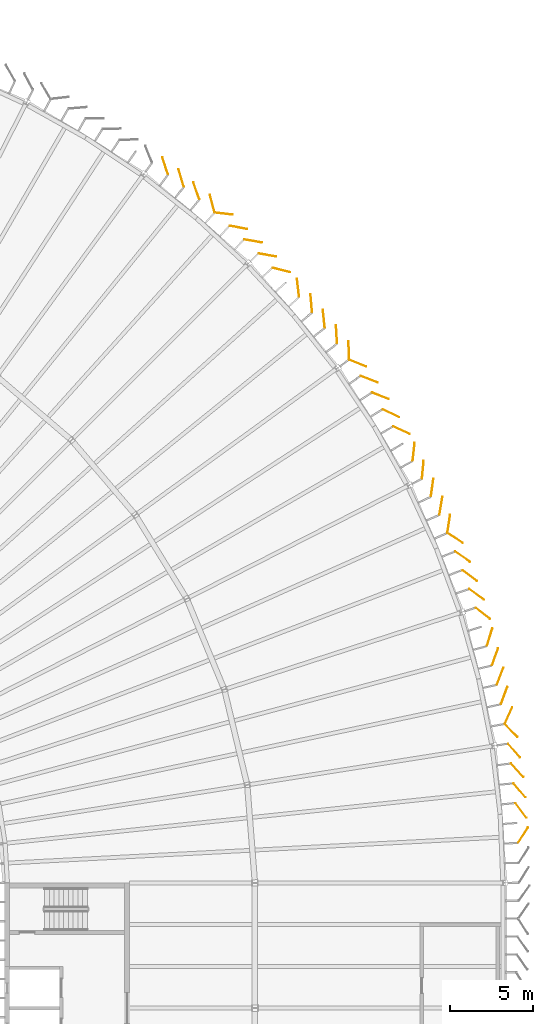
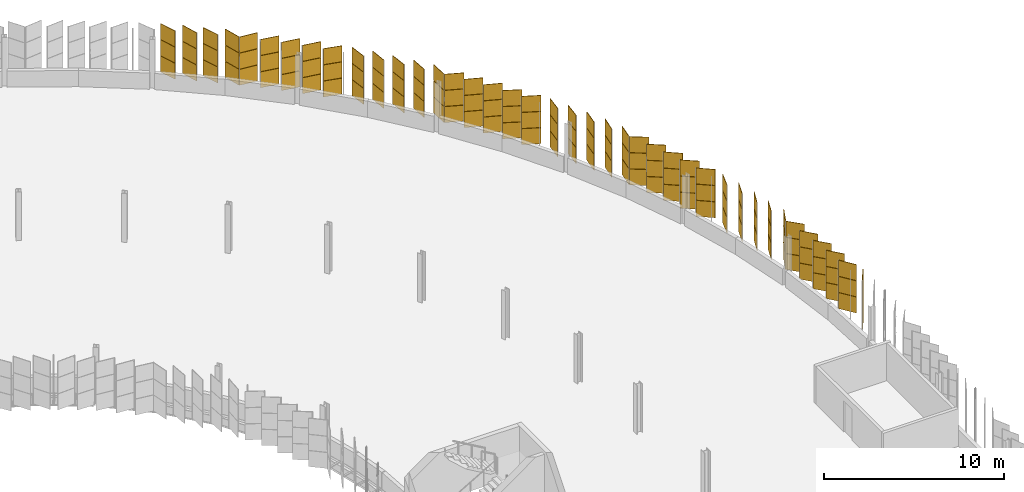
# One storey, part 195 of 199: 120 coverings.
"""IFC4 building model written with IfcOpenShell, lengths in metres."""

from ifc_helpers import new_model, si_unit, direction, frame, origin, origin_2d, place, context, subcontext, project, spatial, rectangle, extrude, material, layer, layer_set, type_object, element, save


model = new_model("IFC4")

# Units and contexts
model_context = context("Model", 3, precision=1e-05, world=origin(), true_north=direction((0.0, 1.0)))
body_context = subcontext(model_context, "Body", "Model", "MODEL_VIEW")
ifc_project = project(units=[si_unit("LENGTHUNIT", "METRE"), si_unit("AREAUNIT", "SQUARE_METRE"), si_unit("VOLUMEUNIT", "CUBIC_METRE"), si_unit("PLANEANGLEUNIT", "RADIAN"), si_unit("MASSUNIT", "GRAM", prefix="KILO")], contexts=[model_context])

# Site, building, storey
site_placement = place(None, origin())
site = spatial("IfcSite", under=ifc_project, at=site_placement, CompositionType="ELEMENT")
building_placement = place(site_placement, origin())
building = spatial("IfcBuilding", under=site, at=building_placement, Name="Parallax Yard Mobility Hub", CompositionType="ELEMENT")
storey_placement = place(building_placement, frame((0.0, 0.0, 9.89990234375)))
storey = spatial("IfcBuildingStorey", under=building, at=storey_placement, Name="L03", CompositionType="ELEMENT", Elevation=9.89990234375)

# Coverings
ifc_material_1 = material(Name="Aluminium panel, champagne finish", Category="aluminium")
ifc_layer_1 = layer(ifc_material_1, 0.030029296875)
ifc_layer_set_1 = layer_set([ifc_layer_1], Name="Skin panel 32.5 degree turn, champagne finish")
covering_type_1 = type_object("IfcCoveringType", Name="Skin panel 32.5 degree turn, champagne finish", PredefinedType="CLADDING", material=ifc_layer_set_1)
for number, where, z_axis, x_axis, name in (
    (1, (225.9375, 94.339111328125, 0.02001953125), (0.0, 0.0, 1.0), (0.596097359991, -0.802912160458, 0.0), "Skin panel 32.5 bay 41.4 row 1 level L03"),
    (2, (225.53076171875, 97.924072265625, 0.02001953125), (0.0, 0.0, 1.0), (0.662620048216, -0.748955720789, 0.0), "Skin panel 32.5 bay 41.7 row 1 level L03"),
    (3, (224.9296875, 101.224365234375, 0.02001953125), (0.0, 0.0, 1.0), (0.345745328141, 0.938328390314, 0.0), "Skin panel 32.5 bay 42.3 row 1 level L03"),
    (4, (224.05908203125, 104.71826171875, 0.02001953125), (0.0, 0.0, 1.0), (0.29161218728, 0.956536634024, 0.0), "Skin panel 32.5 bay 42.6 row 1 level L03"),
    (5, (222.863037109375, 108.39892578125, 0.02001953125), (0.0, 0.0, 1.0), (0.798157342033, -0.602449049595, 0.0), "Skin panel 32.5 bay 43.2 row 1 level L03"),
    (6, (221.613037109375, 111.511474609375, 0.02001953125), (0.0, 0.0, 1.0), (0.152514952931, 0.988301163175, 0.0), "Skin panel 32.5 bay 43.5 row 1 level L03"),
    (7, (220.060302734375, 114.760009765625, 0.02001953125), (0.0, 0.0, 1.0), (0.09584575252, 0.995396198367, 0.0), "Skin panel 32.5 bay 44.1 row 1 level L03"),
    (8, (218.1494140625, 118.125, 0.02001953125), (0.0, 0.0, 1.0), (0.901901141033, -0.431942509836, 0.0), "Skin panel 32.5 bay 44.4 row 1 level L03"),
    (9, (216.1591796875, 121.12548828125, 0.02001953125), (0.0, 0.0, 1.0), (0.92508913749, -0.379750033177, 0.0), "Skin panel 32.5 bay 44.7 row 1 level L03"),
    (10, (214.129150390625, 123.7958984375, 0.02001953125), (0.0, 0.0, 1.0), (-0.10373865588, 0.994604590416, 0.0), "Skin panel 32.5 bay 45.3 row 1 level L03"),
    (11, (211.58056640625, 126.708984375, 0.02001953125), (0.0, 0.0, 1.0), (0.969717050992, -0.244231122126, 0.0), "Skin panel 32.5 bay 45.6 row 1 level L03"),
    (12, (209.0166015625, 129.2578125, 0.02001953125), (0.0, 0.0, 1.0), (0.982078646832, -0.188471566651, 0.0), "Skin panel 32.5 bay 46.2 row 1 level L03"),
    (13, (206.49072265625, 131.45458984375, 0.02001953125), (0.0, 0.0, 1.0), (-0.32631891148, 0.94525973574, 0.0), "Skin panel 32.5 bay 46.5 row 1 level L03"),
):
    element("IfcCovering", number, at=place(storey_placement, frame(where, z_axis=z_axis, x_axis=x_axis)), inside=storey, type_object=covering_type_1, Name=name, ObjectType="SCREEN", PredefinedType="CLADDING", context=body_context, shape_type="SweptSolid", body=[
        extrude(rectangle(XDim=1.080078125, YDim=0.030029296875, at=origin_2d()), origin(), (0.0, 0.0, 1.0), 1.080078125),
    ])
ifc_material_2 = material(Name="Aluminium panel, silver anodised", Category="aluminium")
ifc_layer_2 = layer(ifc_material_2, 0.030029296875)
ifc_layer_set_2 = layer_set([ifc_layer_2], Name="Skin panel 32.5 degree turn, silver anodised")
covering_type_2 = type_object("IfcCoveringType", Name="Skin panel 32.5 degree turn, silver anodised", PredefinedType="CLADDING", material=ifc_layer_set_2)
for number, where, z_axis, x_axis, name in (
    (14, (225.9375, 94.339111328125, 1.1201171875), (0.0, 0.0, 1.0), (0.596097359991, -0.802912160458, 0.0), "Skin panel 32.5 bay 41.4 row 2 level L03"),
    (15, (225.9375, 94.339111328125, 2.219970703125), (0.0, 0.0, 1.0), (0.596097359991, -0.802912160458, 0.0), "Skin panel 32.5 bay 41.4 row 3 level L03"),
    (16, (225.53076171875, 97.924072265625, 1.1201171875), (0.0, 0.0, 1.0), (0.662620048216, -0.748955720789, 0.0), "Skin panel 32.5 bay 41.7 row 2 level L03"),
    (17, (225.53076171875, 97.924072265625, 2.219970703125), (0.0, 0.0, 1.0), (0.662620048216, -0.748955720789, 0.0), "Skin panel 32.5 bay 41.7 row 3 level L03"),
    (18, (224.9296875, 101.224365234375, 1.1201171875), (0.0, 0.0, 1.0), (0.345745328141, 0.938328390314, 0.0), "Skin panel 32.5 bay 42.3 row 2 level L03"),
    (19, (224.9296875, 101.224365234375, 2.219970703125), (0.0, 0.0, 1.0), (0.345745328141, 0.938328390314, 0.0), "Skin panel 32.5 bay 42.3 row 3 level L03"),
    (20, (224.05908203125, 104.71826171875, 1.1201171875), (0.0, 0.0, 1.0), (0.29161218728, 0.956536634024, 0.0), "Skin panel 32.5 bay 42.6 row 2 level L03"),
    (21, (224.05908203125, 104.71826171875, 2.219970703125), (0.0, 0.0, 1.0), (0.29161218728, 0.956536634024, 0.0), "Skin panel 32.5 bay 42.6 row 3 level L03"),
    (22, (222.863037109375, 108.39892578125, 1.1201171875), (0.0, 0.0, 1.0), (0.798157342033, -0.602449049595, 0.0), "Skin panel 32.5 bay 43.2 row 2 level L03"),
    (23, (222.863037109375, 108.39892578125, 2.219970703125), (0.0, 0.0, 1.0), (0.798157342033, -0.602449049595, 0.0), "Skin panel 32.5 bay 43.2 row 3 level L03"),
    (24, (221.613037109375, 111.511474609375, 1.1201171875), (0.0, 0.0, 1.0), (0.152514952931, 0.988301163175, 0.0), "Skin panel 32.5 bay 43.5 row 2 level L03"),
    (25, (221.613037109375, 111.511474609375, 2.219970703125), (0.0, 0.0, 1.0), (0.152514952931, 0.988301163175, 0.0), "Skin panel 32.5 bay 43.5 row 3 level L03"),
    (26, (220.060302734375, 114.760009765625, 1.1201171875), (0.0, 0.0, 1.0), (0.09584575252, 0.995396198367, 0.0), "Skin panel 32.5 bay 44.1 row 2 level L03"),
    (27, (220.060302734375, 114.760009765625, 2.219970703125), (0.0, 0.0, 1.0), (0.09584575252, 0.995396198367, 0.0), "Skin panel 32.5 bay 44.1 row 3 level L03"),
    (28, (218.1494140625, 118.125, 1.1201171875), (0.0, 0.0, 1.0), (0.901901141033, -0.431942509836, 0.0), "Skin panel 32.5 bay 44.4 row 2 level L03"),
    (29, (218.1494140625, 118.125, 2.219970703125), (0.0, 0.0, 1.0), (0.901901141033, -0.431942509836, 0.0), "Skin panel 32.5 bay 44.4 row 3 level L03"),
    (30, (216.1591796875, 121.12548828125, 1.1201171875), (0.0, 0.0, 1.0), (0.92508913749, -0.379750033177, 0.0), "Skin panel 32.5 bay 44.7 row 2 level L03"),
    (31, (216.1591796875, 121.12548828125, 2.219970703125), (0.0, 0.0, 1.0), (0.92508913749, -0.379750033177, 0.0), "Skin panel 32.5 bay 44.7 row 3 level L03"),
    (32, (214.129150390625, 123.7958984375, 1.1201171875), (0.0, 0.0, 1.0), (-0.10373865588, 0.994604590416, 0.0), "Skin panel 32.5 bay 45.3 row 2 level L03"),
    (33, (214.129150390625, 123.7958984375, 2.219970703125), (0.0, 0.0, 1.0), (-0.10373865588, 0.994604590416, 0.0), "Skin panel 32.5 bay 45.3 row 3 level L03"),
    (34, (211.58056640625, 126.708984375, 1.1201171875), (0.0, 0.0, 1.0), (0.969717050992, -0.244231122126, 0.0), "Skin panel 32.5 bay 45.6 row 2 level L03"),
    (35, (211.58056640625, 126.708984375, 2.219970703125), (0.0, 0.0, 1.0), (0.969717050992, -0.244231122126, 0.0), "Skin panel 32.5 bay 45.6 row 3 level L03"),
    (36, (209.0166015625, 129.2578125, 1.1201171875), (0.0, 0.0, 1.0), (0.982078646832, -0.188471566651, 0.0), "Skin panel 32.5 bay 46.2 row 2 level L03"),
    (37, (209.0166015625, 129.2578125, 2.219970703125), (0.0, 0.0, 1.0), (0.982078646832, -0.188471566651, 0.0), "Skin panel 32.5 bay 46.2 row 3 level L03"),
    (38, (206.49072265625, 131.45458984375, 1.1201171875), (0.0, 0.0, 1.0), (-0.32631891148, 0.94525973574, 0.0), "Skin panel 32.5 bay 46.5 row 2 level L03"),
    (39, (206.49072265625, 131.45458984375, 2.219970703125), (0.0, 0.0, 1.0), (-0.32631891148, 0.94525973574, 0.0), "Skin panel 32.5 bay 46.5 row 3 level L03"),
):
    element("IfcCovering", number, at=place(storey_placement, frame(where, z_axis=z_axis, x_axis=x_axis)), inside=storey, type_object=covering_type_2, Name=name, ObjectType="SCREEN", PredefinedType="CLADDING", context=body_context, shape_type="SweptSolid", body=[
        extrude(rectangle(XDim=1.080078125, YDim=0.030029296875, at=origin_2d()), origin(), (0.0, 0.0, 1.0), 1.080078125),
    ])
ifc_layer_3 = layer(ifc_material_1, 0.030029296875)
ifc_layer_set_3 = layer_set([ifc_layer_3], Name="Skin panel 35 degree turn, champagne finish")
covering_type_3 = type_object("IfcCoveringType", Name="Skin panel 35 degree turn, champagne finish", PredefinedType="CLADDING", material=ifc_layer_set_3)
for number, where, z_axis, x_axis, name in (
    (40, (226.064208984375, 92.86181640625, 0.02001953125), (0.0, 0.0, 1.0), (0.537969196928, 0.842964496973, 0.0), "Skin panel 35 bay 41.3 row 1 level L03"),
    (41, (225.850830078125, 95.542724609375, 0.02001953125), (0.0, 0.0, 1.0), (0.652459561766, -0.757823541638, 0.0), "Skin panel 35 bay 41.5 row 1 level L03"),
    (42, (225.712158203125, 96.7431640625, 0.02001953125), (0.0, 0.0, 1.0), (0.673833110974, -0.738883575779, 0.0), "Skin panel 35 bay 41.6 row 1 level L03"),
    (43, (225.348388671875, 99.123291015625, 0.02001953125), (0.0, 0.0, 1.0), (0.694658370459, -0.719339800339, 0.0), "Skin panel 35 bay 42.1 row 1 level L03"),
    (44, (225.19140625, 100.030517578125, 0.02001953125), (0.0, 0.0, 1.0), (0.412525789307, 0.910945922191, 0.0), "Skin panel 35 bay 42.2 row 1 level L03"),
    (45, (224.685791015625, 102.379150390625, 0.02001953125), (0.0, 0.0, 1.0), (0.35984862727, 0.933010699538, 0.0), "Skin panel 35 bay 42.4 row 1 level L03"),
    (46, (224.388427734375, 103.55078125, 0.02001953125), (0.0, 0.0, 1.0), (0.333058179063, 0.942906278142, 0.0), "Skin panel 35 bay 42.5 row 1 level L03"),
    (47, (223.65087890625, 106.144287109375, 0.02001953125), (0.0, 0.0, 1.0), (0.789960282636, -0.613158015407, 0.0), "Skin panel 35 bay 42.7 row 1 level L03"),
    (48, (223.2783203125, 107.278564453125, 0.02001953125), (0.0, 0.0, 1.0), (0.807147877274, -0.590349306946, 0.0), "Skin panel 35 bay 43.1 row 1 level L03"),
    (49, (222.443359375, 109.537109375, 0.02001953125), (0.0, 0.0, 1.0), (0.823676131563, -0.567060517311, 0.0), "Skin panel 35 bay 43.3 row 1 level L03"),
    (50, (221.9951171875, 110.659423828125, 0.02001953125), (0.0, 0.0, 1.0), (0.839533584284, -0.543307795692, 0.0), "Skin panel 35 bay 43.4 row 1 level L03"),
    (51, (221.14453125, 112.5947265625, 0.02001953125), (0.0, 0.0, 1.0), (0.167395116152, 0.985889889941, 0.0), "Skin panel 35 bay 43.6 row 1 level L03"),
    (52, (220.617919921875, 113.6826171875, 0.02001953125), (0.0, 0.0, 1.0), (0.13917310096, 0.990268068742, 0.0), "Skin panel 35 bay 43.7 row 1 level L03"),
    (53, (219.512939453125, 115.822265625, 0.02001953125), (0.0, 0.0, 1.0), (0.110837569146, 0.993838534806, 0.0), "Skin panel 35 bay 44.2 row 1 level L03"),
    (54, (218.781494140625, 117.111083984375, 0.02001953125), (0.0, 0.0, 1.0), (0.908308971239, -0.418299907681, 0.0), "Skin panel 35 bay 44.3 row 1 level L03"),
    (55, (217.515625, 119.17041015625, 0.02001953125), (0.0, 0.0, 1.0), (0.930708322292, -0.365762243564, 0.0), "Skin panel 35 bay 44.5 row 1 level L03"),
    (56, (216.844970703125, 120.164794921875, 0.02001953125), (0.0, 0.0, 1.0), (0.930708322292, -0.365762243564, 0.0), "Skin panel 35 bay 44.6 row 1 level L03"),
    (57, (215.626708984375, 121.892578125, 0.02001953125), (0.0, 0.0, 1.0), (-0.031728250671, 0.999496532315, 0.0), "Skin panel 35 bay 45.1 row 1 level L03"),
    (58, (214.89208984375, 122.8525390625, 0.02001953125), (0.0, 0.0, 1.0), (-0.060255876762, 0.998182963848, 0.0), "Skin panel 35 bay 45.2 row 1 level L03"),
    (59, (213.37939453125, 124.7265625, 0.02001953125), (0.0, 0.0, 1.0), (-0.088736099562, 0.996055171481, 0.0), "Skin panel 35 bay 45.4 row 1 level L03"),
    (60, (212.5859375, 125.638671875, 0.02001953125), (0.0, 0.0, 1.0), (-0.117143944709, 0.993114946126, 0.0), "Skin panel 35 bay 45.5 row 1 level L03"),
    (61, (210.74951171875, 127.60546875, 0.02001953125), (0.0, 0.0, 1.0), (0.984807753012, -0.173648177667, 0.0), "Skin panel 35 bay 45.7 row 1 level L03"),
    (62, (209.892578125, 128.44482421875, 0.02001953125), (0.0, 0.0, 1.0), (0.984807753012, -0.173648177667, 0.0), "Skin panel 35 bay 46.1 row 1 level L03"),
    (63, (208.138427734375, 130.086181640625, 0.02001953125), (0.0, 0.0, 1.0), (0.993114946126, -0.117143944709, 0.0), "Skin panel 35 bay 46.3 row 1 level L03"),
    (64, (207.44287109375, 130.68896484375, 0.02001953125), (0.0, 0.0, 1.0), (-0.257286274555, 0.966335228027, 0.0), "Skin panel 35 bay 46.4 row 1 level L03"),
    (65, (205.584228515625, 132.22021484375, 0.02001953125), (0.0, 0.0, 1.0), (-0.284776677608, 0.958593888928, 0.0), "Skin panel 35 bay 46.6 row 1 level L03"),
    (66, (204.623779296875, 132.9541015625, 0.02001953125), (0.0, 0.0, 1.0), (-0.31203314421, 0.950071216759, 0.0), "Skin panel 35 bay 46.7 row 1 level L03"),
):
    element("IfcCovering", number, at=place(storey_placement, frame(where, z_axis=z_axis, x_axis=x_axis)), inside=storey, type_object=covering_type_3, Name=name, ObjectType="SCREEN", PredefinedType="CLADDING", context=body_context, shape_type="SweptSolid", body=[
        extrude(rectangle(XDim=1.080078125, YDim=0.030029296875, at=origin_2d()), origin(), (0.0, 0.0, 1.0), 1.080078125),
    ])
ifc_layer_4 = layer(ifc_material_2, 0.030029296875)
ifc_layer_set_4 = layer_set([ifc_layer_4], Name="Skin panel 35 degree turn, silver anodised")
covering_type_4 = type_object("IfcCoveringType", Name="Skin panel 35 degree turn, silver anodised", PredefinedType="CLADDING", material=ifc_layer_set_4)
for number, where, z_axis, x_axis, name in (
    (67, (226.064208984375, 92.86181640625, 1.1201171875), (0.0, 0.0, 1.0), (0.537969196928, 0.842964496973, 0.0), "Skin panel 35 bay 41.3 row 2 level L03"),
    (68, (226.064208984375, 92.86181640625, 2.219970703125), (0.0, 0.0, 1.0), (0.537969196928, 0.842964496973, 0.0), "Skin panel 35 bay 41.3 row 3 level L03"),
    (69, (225.850830078125, 95.542724609375, 1.1201171875), (0.0, 0.0, 1.0), (0.652459561766, -0.757823541638, 0.0), "Skin panel 35 bay 41.5 row 2 level L03"),
    (70, (225.850830078125, 95.542724609375, 2.219970703125), (0.0, 0.0, 1.0), (0.652459561766, -0.757823541638, 0.0), "Skin panel 35 bay 41.5 row 3 level L03"),
    (71, (225.712158203125, 96.7431640625, 1.1201171875), (0.0, 0.0, 1.0), (0.673833110974, -0.738883575779, 0.0), "Skin panel 35 bay 41.6 row 2 level L03"),
    (72, (225.712158203125, 96.7431640625, 2.219970703125), (0.0, 0.0, 1.0), (0.673833110974, -0.738883575779, 0.0), "Skin panel 35 bay 41.6 row 3 level L03"),
    (73, (225.348388671875, 99.123291015625, 1.1201171875), (0.0, 0.0, 1.0), (0.694658370459, -0.719339800339, 0.0), "Skin panel 35 bay 42.1 row 2 level L03"),
    (74, (225.348388671875, 99.123291015625, 2.219970703125), (0.0, 0.0, 1.0), (0.694658370459, -0.719339800339, 0.0), "Skin panel 35 bay 42.1 row 3 level L03"),
    (75, (225.19140625, 100.030517578125, 1.1201171875), (0.0, 0.0, 1.0), (0.412525789307, 0.910945922191, 0.0), "Skin panel 35 bay 42.2 row 2 level L03"),
    (76, (225.19140625, 100.030517578125, 2.219970703125), (0.0, 0.0, 1.0), (0.412525789307, 0.910945922191, 0.0), "Skin panel 35 bay 42.2 row 3 level L03"),
    (77, (224.685791015625, 102.379150390625, 1.1201171875), (0.0, 0.0, 1.0), (0.35984862727, 0.933010699538, 0.0), "Skin panel 35 bay 42.4 row 2 level L03"),
    (78, (224.685791015625, 102.379150390625, 2.219970703125), (0.0, 0.0, 1.0), (0.35984862727, 0.933010699538, 0.0), "Skin panel 35 bay 42.4 row 3 level L03"),
    (79, (224.388427734375, 103.55078125, 1.1201171875), (0.0, 0.0, 1.0), (0.333058179063, 0.942906278142, 0.0), "Skin panel 35 bay 42.5 row 2 level L03"),
    (80, (224.388427734375, 103.55078125, 2.219970703125), (0.0, 0.0, 1.0), (0.333058179063, 0.942906278142, 0.0), "Skin panel 35 bay 42.5 row 3 level L03"),
    (81, (223.65087890625, 106.144287109375, 1.1201171875), (0.0, 0.0, 1.0), (0.789960282636, -0.613158015407, 0.0), "Skin panel 35 bay 42.7 row 2 level L03"),
    (82, (223.65087890625, 106.144287109375, 2.219970703125), (0.0, 0.0, 1.0), (0.789960282636, -0.613158015407, 0.0), "Skin panel 35 bay 42.7 row 3 level L03"),
    (83, (223.2783203125, 107.278564453125, 1.1201171875), (0.0, 0.0, 1.0), (0.807147877274, -0.590349306946, 0.0), "Skin panel 35 bay 43.1 row 2 level L03"),
    (84, (223.2783203125, 107.278564453125, 2.219970703125), (0.0, 0.0, 1.0), (0.807147877274, -0.590349306946, 0.0), "Skin panel 35 bay 43.1 row 3 level L03"),
    (85, (222.443359375, 109.537109375, 1.1201171875), (0.0, 0.0, 1.0), (0.823676131563, -0.567060517311, 0.0), "Skin panel 35 bay 43.3 row 2 level L03"),
    (86, (222.443359375, 109.537109375, 2.219970703125), (0.0, 0.0, 1.0), (0.823676131563, -0.567060517311, 0.0), "Skin panel 35 bay 43.3 row 3 level L03"),
    (87, (221.9951171875, 110.659423828125, 1.1201171875), (0.0, 0.0, 1.0), (0.839533584284, -0.543307795692, 0.0), "Skin panel 35 bay 43.4 row 2 level L03"),
    (88, (221.9951171875, 110.659423828125, 2.219970703125), (0.0, 0.0, 1.0), (0.839533584284, -0.543307795692, 0.0), "Skin panel 35 bay 43.4 row 3 level L03"),
    (89, (221.14453125, 112.5947265625, 1.1201171875), (0.0, 0.0, 1.0), (0.167395116152, 0.985889889941, 0.0), "Skin panel 35 bay 43.6 row 2 level L03"),
    (90, (221.14453125, 112.5947265625, 2.219970703125), (0.0, 0.0, 1.0), (0.167395116152, 0.985889889941, 0.0), "Skin panel 35 bay 43.6 row 3 level L03"),
    (91, (220.617919921875, 113.6826171875, 1.1201171875), (0.0, 0.0, 1.0), (0.13917310096, 0.990268068742, 0.0), "Skin panel 35 bay 43.7 row 2 level L03"),
    (92, (220.617919921875, 113.6826171875, 2.219970703125), (0.0, 0.0, 1.0), (0.13917310096, 0.990268068742, 0.0), "Skin panel 35 bay 43.7 row 3 level L03"),
    (93, (219.512939453125, 115.822265625, 1.1201171875), (0.0, 0.0, 1.0), (0.110837569146, 0.993838534806, 0.0), "Skin panel 35 bay 44.2 row 2 level L03"),
    (94, (219.512939453125, 115.822265625, 2.219970703125), (0.0, 0.0, 1.0), (0.110837569146, 0.993838534806, 0.0), "Skin panel 35 bay 44.2 row 3 level L03"),
    (95, (218.781494140625, 117.111083984375, 1.1201171875), (0.0, 0.0, 1.0), (0.908308971239, -0.418299907681, 0.0), "Skin panel 35 bay 44.3 row 2 level L03"),
    (96, (218.781494140625, 117.111083984375, 2.219970703125), (0.0, 0.0, 1.0), (0.908308971239, -0.418299907681, 0.0), "Skin panel 35 bay 44.3 row 3 level L03"),
    (97, (217.515625, 119.17041015625, 1.1201171875), (0.0, 0.0, 1.0), (0.930708322292, -0.365762243564, 0.0), "Skin panel 35 bay 44.5 row 2 level L03"),
    (98, (217.515625, 119.17041015625, 2.219970703125), (0.0, 0.0, 1.0), (0.930708322292, -0.365762243564, 0.0), "Skin panel 35 bay 44.5 row 3 level L03"),
    (99, (216.844970703125, 120.164794921875, 1.1201171875), (0.0, 0.0, 1.0), (0.930708322292, -0.365762243564, 0.0), "Skin panel 35 bay 44.6 row 2 level L03"),
    (100, (216.844970703125, 120.164794921875, 2.219970703125), (0.0, 0.0, 1.0), (0.930708322292, -0.365762243564, 0.0), "Skin panel 35 bay 44.6 row 3 level L03"),
    (101, (215.626708984375, 121.892578125, 1.1201171875), (0.0, 0.0, 1.0), (-0.031728250671, 0.999496532315, 0.0), "Skin panel 35 bay 45.1 row 2 level L03"),
    (102, (215.626708984375, 121.892578125, 2.219970703125), (0.0, 0.0, 1.0), (-0.031728250671, 0.999496532315, 0.0), "Skin panel 35 bay 45.1 row 3 level L03"),
    (103, (214.89208984375, 122.8525390625, 1.1201171875), (0.0, 0.0, 1.0), (-0.060255876762, 0.998182963848, 0.0), "Skin panel 35 bay 45.2 row 2 level L03"),
    (104, (214.89208984375, 122.8525390625, 2.219970703125), (0.0, 0.0, 1.0), (-0.060255876762, 0.998182963848, 0.0), "Skin panel 35 bay 45.2 row 3 level L03"),
    (105, (213.37939453125, 124.7265625, 1.1201171875), (0.0, 0.0, 1.0), (-0.088736099562, 0.996055171481, 0.0), "Skin panel 35 bay 45.4 row 2 level L03"),
    (106, (213.37939453125, 124.7265625, 2.219970703125), (0.0, 0.0, 1.0), (-0.088736099562, 0.996055171481, 0.0), "Skin panel 35 bay 45.4 row 3 level L03"),
    (107, (212.5859375, 125.638671875, 1.1201171875), (0.0, 0.0, 1.0), (-0.117143944709, 0.993114946126, 0.0), "Skin panel 35 bay 45.5 row 2 level L03"),
    (108, (212.5859375, 125.638671875, 2.219970703125), (0.0, 0.0, 1.0), (-0.117143944709, 0.993114946126, 0.0), "Skin panel 35 bay 45.5 row 3 level L03"),
    (109, (210.74951171875, 127.60546875, 1.1201171875), (0.0, 0.0, 1.0), (0.984807753012, -0.173648177667, 0.0), "Skin panel 35 bay 45.7 row 2 level L03"),
    (110, (210.74951171875, 127.60546875, 2.219970703125), (0.0, 0.0, 1.0), (0.984807753012, -0.173648177667, 0.0), "Skin panel 35 bay 45.7 row 3 level L03"),
    (111, (209.892578125, 128.44482421875, 1.1201171875), (0.0, 0.0, 1.0), (0.984807753012, -0.173648177667, 0.0), "Skin panel 35 bay 46.1 row 2 level L03"),
    (112, (209.892578125, 128.44482421875, 2.219970703125), (0.0, 0.0, 1.0), (0.984807753012, -0.173648177667, 0.0), "Skin panel 35 bay 46.1 row 3 level L03"),
    (113, (208.138427734375, 130.086181640625, 1.1201171875), (0.0, 0.0, 1.0), (0.993114946126, -0.117143944709, 0.0), "Skin panel 35 bay 46.3 row 2 level L03"),
    (114, (208.138427734375, 130.086181640625, 2.219970703125), (0.0, 0.0, 1.0), (0.993114946126, -0.117143944709, 0.0), "Skin panel 35 bay 46.3 row 3 level L03"),
    (115, (207.44287109375, 130.68896484375, 1.1201171875), (0.0, 0.0, 1.0), (-0.257286274555, 0.966335228027, 0.0), "Skin panel 35 bay 46.4 row 2 level L03"),
    (116, (207.44287109375, 130.68896484375, 2.219970703125), (0.0, 0.0, 1.0), (-0.257286274555, 0.966335228027, 0.0), "Skin panel 35 bay 46.4 row 3 level L03"),
    (117, (205.584228515625, 132.22021484375, 1.1201171875), (0.0, 0.0, 1.0), (-0.284776677608, 0.958593888928, 0.0), "Skin panel 35 bay 46.6 row 2 level L03"),
    (118, (205.584228515625, 132.22021484375, 2.219970703125), (0.0, 0.0, 1.0), (-0.284776677608, 0.958593888928, 0.0), "Skin panel 35 bay 46.6 row 3 level L03"),
    (119, (204.623779296875, 132.9541015625, 1.1201171875), (0.0, 0.0, 1.0), (-0.31203314421, 0.950071216759, 0.0), "Skin panel 35 bay 46.7 row 2 level L03"),
    (120, (204.623779296875, 132.9541015625, 2.219970703125), (0.0, 0.0, 1.0), (-0.31203314421, 0.950071216759, 0.0), "Skin panel 35 bay 46.7 row 3 level L03"),
):
    element("IfcCovering", number, at=place(storey_placement, frame(where, z_axis=z_axis, x_axis=x_axis)), inside=storey, type_object=covering_type_4, Name=name, ObjectType="SCREEN", PredefinedType="CLADDING", context=body_context, shape_type="SweptSolid", body=[
        extrude(rectangle(XDim=1.080078125, YDim=0.030029296875, at=origin_2d()), origin(), (0.0, 0.0, 1.0), 1.080078125),
    ])

save(model, "model.ifc")
